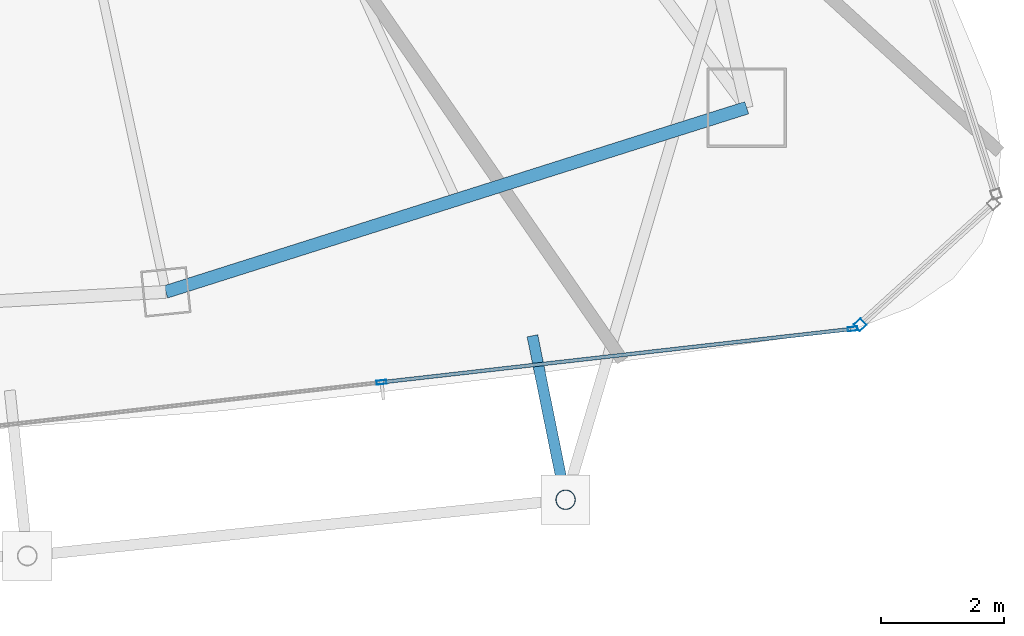
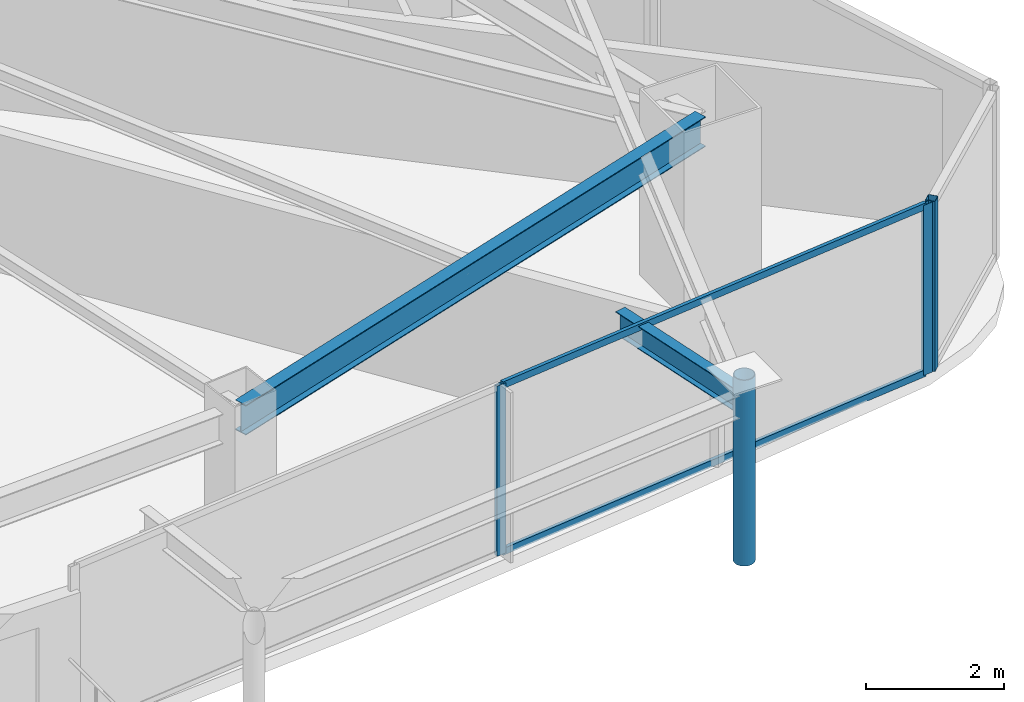
# One storey, part 14 of 30: 6 members, 2 beams, 2 elements without a shape of their own.
"""IFC4 building model written with IfcOpenShell, lengths in metres."""

import ifcopenshell
import ifcopenshell.guid

model = None  # the IFC model being written
_history = None  # IfcOwnerHistory: only IFC2X3 demands one
_inside = {}  # id of a spatial element -> (the spatial element, [elements in it])
_under = {}  # id of a project, library or spatial element -> (it, [spatial elements below it])
_declared = {}  # id of a project -> (the project, [libraries it declares])
_typed = {}  # id of a type object -> (the type object, [elements of that type])
_made_of = {}  # id of a material, layer set ... -> (it, [elements and type objects made of it])


def new_model(schema):
    """Start an empty IFC model of exactly this schema.

    Asked for "IFC4X3", IfcOpenShell would pick the latest addendum, in which some entities
    have other attributes; the version numbers below select the first issue.
    IFC2X3 requires an IfcOwnerHistory on every rooted entity: one is made here for all.
    """
    global model, _history
    if schema == "IFC4X3":
        model = ifcopenshell.file(schema_version=(4, 3, 0, 0))
    else:
        model = ifcopenshell.file(schema=schema)
    _inside.clear()
    _under.clear()
    _declared.clear()
    _typed.clear()
    _made_of.clear()
    _history = None
    if model.schema == "IFC2X3":
        org = make("IfcOrganization", Name="unknown")
        user = make(
            "IfcPersonAndOrganization",
            ThePerson=make("IfcPerson", FamilyName="unknown"),
            TheOrganization=org,
        )
        app = make(
            "IfcApplication",
            ApplicationDeveloper=org,
            Version="unknown",
            ApplicationFullName="unknown",
            ApplicationIdentifier="unknown",
        )
        _history = make(
            "IfcOwnerHistory",
            OwningUser=user,
            OwningApplication=app,
            ChangeAction="ADDED",
            CreationDate=0,
        )
    return model


def make(cls, **values):
    """One entity of the class cls with the attributes given. An attribute that is None is left unset."""
    return model.create_entity(
        cls, **{name: value for name, value in values.items() if value is not None}
    )


def rooted(cls, **values):
    """An entity with a GlobalId (a new one), such as an element, a storey or a relation."""
    return make(cls, GlobalId=ifcopenshell.guid.new(), OwnerHistory=_history, **values)


def si_unit(unit_type, name, prefix=None):
    """IfcSIUnit, for example si_unit("LENGTHUNIT", "METRE", prefix="MILLI")."""
    return make("IfcSIUnit", UnitType=unit_type, Prefix=prefix, Name=name)


def assignment(units):
    """IfcUnitAssignment: the units of a project."""
    return None if units is None else make("IfcUnitAssignment", Units=units)


def point(xyz):
    """IfcCartesianPoint."""
    return None if xyz is None else make("IfcCartesianPoint", Coordinates=xyz)


def direction(xyz):
    """IfcDirection."""
    return None if xyz is None else make("IfcDirection", DirectionRatios=xyz)


def frame(location, z_axis=None, x_axis=None):
    """IfcAxis2Placement3D, a coordinate frame: its origin and axes. An axis left out is left unset."""
    return make(
        "IfcAxis2Placement3D",
        Location=point(location),
        Axis=direction(z_axis),
        RefDirection=direction(x_axis),
    )


def frame_2d(location, x_axis=None):
    """IfcAxis2Placement2D, a coordinate frame in the plane: its origin and x axis."""
    return make(
        "IfcAxis2Placement2D", Location=point(location), RefDirection=direction(x_axis)
    )


def origin():
    """The frame at (0, 0, 0) with its axes left unset."""
    return frame((0.0, 0.0, 0.0))


def origin_2d():
    """The frame at (0, 0) in the plane with its x axis left unset."""
    return frame_2d((0.0, 0.0))


def place(relative_to, where):
    """IfcLocalPlacement: puts the frame where relative to a parent placement (None: the world)."""
    return make(
        "IfcLocalPlacement", PlacementRelTo=relative_to, RelativePlacement=where
    )


def context(
    kind, dimensions, precision=None, world=None, true_north=None, identifier=None
):
    """IfcGeometricRepresentationContext, for example the 3D "Model" context."""
    return make(
        "IfcGeometricRepresentationContext",
        ContextIdentifier=identifier,
        ContextType=kind,
        CoordinateSpaceDimension=dimensions,
        Precision=precision,
        WorldCoordinateSystem=world,
        TrueNorth=true_north,
    )


def subcontext(parent, identifier, kind, view, scale=None):
    """IfcGeometricRepresentationSubContext, for example "Body" below "Model"."""
    return make(
        "IfcGeometricRepresentationSubContext",
        ContextIdentifier=identifier,
        ContextType=kind,
        ParentContext=parent,
        TargetScale=scale,
        TargetView=view,
    )


def project(units=None, contexts=None):
    """IfcProject with its units and contexts."""
    return rooted(
        "IfcProject",
        Name="project",
        RepresentationContexts=contexts,
        UnitsInContext=assignment(units),
    )


def spatial(cls, under=None, at=None, **own):
    """A site, building, storey or space (cls), placed at a placement, below another one or the project."""
    s = rooted(cls, ObjectPlacement=at, **own)
    if under is not None:
        _under.setdefault(under.id(), (under, []))[1].append(s)
    return s


def profile(cls, at=None, kind="AREA", **sizes):
    """A parametric profile (cls). Its sizes go by their IFC names, for example OverallWidth=200.0."""
    return make(cls, ProfileType=kind, Position=at, **sizes)


def hollow_rectangle(**sizes):
    """IfcRectangleHollowProfileDef."""
    return profile("IfcRectangleHollowProfileDef", **sizes)


def hollow_circle(**sizes):
    """IfcCircleHollowProfileDef."""
    return profile("IfcCircleHollowProfileDef", **sizes)


def i_section(**sizes):
    """IfcIShapeProfileDef."""
    return profile("IfcIShapeProfileDef", **sizes)


def extrude(swept, where, along, depth):
    """IfcExtrudedAreaSolid: the profile swept, set in the frame where, extruded along a direction by depth."""
    return make(
        "IfcExtrudedAreaSolid",
        SweptArea=swept,
        Position=where,
        ExtrudedDirection=direction(along),
        Depth=depth,
    )


def shape(context_of_items, identifier, shape_type, items):
    """IfcShapeRepresentation: the items that make up one representation, for example the "Body"."""
    return make(
        "IfcShapeRepresentation",
        ContextOfItems=context_of_items,
        RepresentationIdentifier=identifier,
        RepresentationType=shape_type,
        Items=items,
    )


def material(Name=None, Category=None):
    """IfcMaterial."""
    return make("IfcMaterial", Name=Name, Category=Category)


def layer(
    of_material, thickness, ventilated=None, Name=None, Category=None, Priority=None
):
    """IfcMaterialLayer: one layer of a wall or slab, of a material (None: an air gap)."""
    return make(
        "IfcMaterialLayer",
        Material=of_material,
        LayerThickness=thickness,
        IsVentilated=ventilated,
        Name=Name,
        Category=Category,
        Priority=Priority,
    )


def layer_set(layers, Name=None):
    """IfcMaterialLayerSet."""
    return make("IfcMaterialLayerSet", MaterialLayers=layers, LayerSetName=Name)


def material_profile(
    of_material, cross_section, Name=None, Category=None, Priority=None
):
    """IfcMaterialProfile: a cross section and its material."""
    return make(
        "IfcMaterialProfile",
        Name=Name,
        Material=of_material,
        Profile=cross_section,
        Priority=Priority,
        Category=Category,
    )


def profile_set(profiles, Name=None, composite=None):
    """IfcMaterialProfileSet."""
    return make(
        "IfcMaterialProfileSet",
        Name=Name,
        MaterialProfiles=profiles,
        CompositeProfile=composite,
    )


def made_of(thing, what):
    """Note that an element or type object is made of a material, layer set ...; save() writes the relation."""
    if what is not None:
        _made_of.setdefault(what.id(), (what, []))[1].append(thing)
    return thing


def type_object(cls, material=None, **own):
    """A type object (cls), such as IfcWallType, which elements share."""
    return made_of(rooted(cls, **own), material)


def element(
    cls,
    number,
    at=None,
    inside=None,
    cuts=None,
    type_object=None,
    material=None,
    context=None,
    identifier="Body",
    shape_type=None,
    held_by="IfcProductDefinitionShape",
    body=None,
    shapes=None,
    **own,
):
    """One element of the class cls, such as IfcWall. Its Tag is "e" and its number.

    at: its placement. inside: the storey or other place that contains it. cuts: it is an
    opening in that element (IfcRelVoidsElement). A single representation is given by context,
    identifier, shape_type and body (its items); several are given by shapes. held_by: the class
    of the entity that holds the representations. save() writes the other relations.
    """
    e = rooted(cls, Tag="e%d" % number, ObjectPlacement=at, **own)
    if body is not None:
        shapes = [shape(context, identifier, shape_type, body)]
    if shapes is not None:
        e.Representation = make(held_by, Representations=shapes)
    if inside is not None:
        _inside.setdefault(inside.id(), (inside, []))[1].append(e)
    if cuts is not None:
        rooted(
            "IfcRelVoidsElement", RelatingBuildingElement=cuts, RelatedOpeningElement=e
        )
    if type_object is not None:
        _typed.setdefault(type_object.id(), (type_object, []))[1].append(e)
    return made_of(e, material)


def aggregate(whole, parts):
    """IfcRelAggregates: a whole, such as a stair, and the parts it consists of."""
    return rooted("IfcRelAggregates", RelatingObject=whole, RelatedObjects=parts)


def save(model, path):
    """Write the relations noted so far, then the file.

    IfcRelAggregates (storeys below a building ...), IfcRelContainedInSpatialStructure (elements
    in a storey), IfcRelDefinesByType, IfcRelAssociatesMaterial and IfcRelDeclares: one each for
    every whole, place, type object, material and project.
    """
    for whole, parts in _under.values():
        aggregate(whole, parts)
    for where, things in _inside.values():
        rooted(
            "IfcRelContainedInSpatialStructure",
            RelatedElements=things,
            RelatingStructure=where,
        )
    for kind, things in _typed.values():
        rooted("IfcRelDefinesByType", RelatedObjects=things, RelatingType=kind)
    for what, things in _made_of.values():
        rooted("IfcRelAssociatesMaterial", RelatedObjects=things, RelatingMaterial=what)
    for by, libraries in _declared.values():
        rooted("IfcRelDeclares", RelatingContext=by, RelatedDefinitions=libraries)
    model.write(path)


model = new_model("IFC4")

# Units and contexts
model_context = context("Model", 3, precision=1e-05, world=origin(), true_north=direction((0.0, 1.0)))
body_context = subcontext(model_context, "Body", "Model", "MODEL_VIEW")
ifc_project = project(units=[si_unit("LENGTHUNIT", "METRE"), si_unit("AREAUNIT", "SQUARE_METRE"), si_unit("VOLUMEUNIT", "CUBIC_METRE"), si_unit("PLANEANGLEUNIT", "RADIAN"), si_unit("MASSUNIT", "GRAM", prefix="KILO")], contexts=[model_context])

# Site, building, storey
site_placement = place(None, origin())
site = spatial("IfcSite", under=ifc_project, at=site_placement, CompositionType="ELEMENT")
building_placement = place(site_placement, origin())
building = spatial("IfcBuilding", under=site, at=building_placement, Name="Orvanel Arch Residences", CompositionType="ELEMENT")
storey_placement = place(building_placement, frame((0.0, 0.0, 232.699951171875)))
storey = spatial("IfcBuildingStorey", under=building, at=storey_placement, Name="L66", CompositionType="ELEMENT", Elevation=232.699951171875)

# Curtain wall, member
ifc_material_1 = material(Name="Bronze-anodised aluminium AA6063-T6", Category="aluminium")
ifc_layer_1 = layer(ifc_material_1, 0.18994140625)
ifc_layer_set_1 = layer_set([ifc_layer_1], Name="Bronze-anodised aluminium AA6063-T6")
curtain_wall_type_1 = type_object("IfcCurtainWallType", Name="CW5-CRN-SYS", PredefinedType="NOTDEFINED", material=ifc_layer_set_1)
curtain_wall_1_placement = place(storey_placement, origin())
curtain_wall_1 = element("IfcCurtainWall", 1, at=curtain_wall_1_placement, inside=storey, type_object=curtain_wall_type_1, Name="L66 CW5-CRN-SYS Unitised Curtain Wall", PredefinedType="NOTDEFINED")
ifc_material_profile_1 = material_profile(ifc_material_1, hollow_rectangle(XDim=0.14990234375, YDim=0.14990234375, WallThickness=0.0048828125, at=origin_2d()), Name="ALU150x150x5")
ifc_profile_set_1 = profile_set([ifc_material_profile_1], Name="Bronze-anodised aluminium AA6063-T6")
member_type_1 = type_object("IfcMemberType", Name="MUL-150x150", PredefinedType="MULLION", material=ifc_profile_set_1)
member_1_placement = place(storey_placement, frame((53.6474609375, 6.822509765625, 0.0), z_axis=(0.0, 0.0, 1.0), x_axis=(-0.672365707037, 0.740219127016, 0.0)))
member_1 = element("IfcMember", 2, at=member_1_placement, type_object=member_type_1, Name="CW-S5 mullion 1", PredefinedType="MULLION", context=body_context, shape_type="SweptSolid", body=[
    extrude(hollow_rectangle(XDim=0.14990234375, YDim=0.14990234375, WallThickness=0.0048828125, at=origin_2d()), origin(), (0.0, 0.0, 1.0), 3.02001953125),
])
aggregate(curtain_wall_1, [member_1])

# Curtain wall, members
ifc_layer_2 = layer(ifc_material_1, 0.175048828125)
ifc_layer_set_2 = layer_set([ifc_layer_2], Name="Bronze-anodised aluminium AA6063-T6")
curtain_wall_type_2 = type_object("IfcCurtainWallType", Name="CW4-HI-SYS", PredefinedType="NOTDEFINED", material=ifc_layer_set_2)
curtain_wall_2_placement = place(storey_placement, origin())
curtain_wall_2 = element("IfcCurtainWall", 3, at=curtain_wall_2_placement, inside=storey, type_object=curtain_wall_type_2, Name="L66 CW4-HI-SYS Unitised Curtain Wall", PredefinedType="NOTDEFINED")
ifc_material_profile_2 = material_profile(ifc_material_1, hollow_rectangle(XDim=0.06494140625, YDim=0.159912109375, WallThickness=0.00390625, at=origin_2d()), Name="ALU160x65x4")
ifc_profile_set_2 = profile_set([ifc_material_profile_2], Name="Bronze-anodised aluminium AA6063-T6")
member_type_2 = type_object("IfcMemberType", Name="MUL-160x65", PredefinedType="MULLION", material=ifc_profile_set_2)
member_2_placement = place(storey_placement, frame((45.860595703125, 5.885009765625, 0.0), z_axis=(0.0, 0.0, 1.0), x_axis=(-0.112578003012, 0.993642890196, 0.0)))
member_2 = element("IfcMember", 4, at=member_2_placement, type_object=member_type_2, Name="CW-S4 mullion 2", PredefinedType="MULLION", context=body_context, shape_type="SweptSolid", body=[
    extrude(hollow_rectangle(XDim=0.06494140625, YDim=0.159912109375, WallThickness=0.00390625, at=origin_2d()), origin(), (0.0, 0.0, 1.0), 3.02001953125),
])
member_3_placement = place(storey_placement, frame((53.524658203125, 6.75341796875, 0.0), z_axis=(0.0, 0.0, 1.0), x_axis=(-0.112578003012, 0.993642890196, 0.0)))
member_3 = element("IfcMember", 5, at=member_3_placement, type_object=member_type_2, Name="CW-S4 mullion 3", PredefinedType="MULLION", context=body_context, shape_type="SweptSolid", body=[
    extrude(hollow_rectangle(XDim=0.06494140625, YDim=0.159912109375, WallThickness=0.00390625, at=origin_2d()), origin(), (0.0, 0.0, 1.0), 3.02001953125),
])

# Beams
ifc_material_2 = material(Name="Structural steel AS/NZS 3679.1 Grade 300 (300 MPa)", Category="steel")
ifc_material_profile_3 = material_profile(ifc_material_2, i_section(OverallWidth=0.177978515625, OverallDepth=0.406005859375, WebThickness=0.0078125, FlangeThickness=0.0126953125, at=origin_2d()), Name="410UB59.7")
ifc_profile_set_3 = profile_set([ifc_material_profile_3], Name="Structural steel AS/NZS 3679.1 Grade 300 (300 MPa)")
beam_type_1 = type_object("IfcBeamType", Name="OB-410UB-EXT", PredefinedType="SPANDREL", material=ifc_profile_set_3)
beam_1_placement = place(storey_placement, frame((48.31494140625, 6.64111328125, 2.817138671875), z_axis=(0.198462114114, -0.980108559937, 0.0), x_axis=(0.980108559937, 0.198462114114, 0.0)))
element("IfcBeam", 6, at=beam_1_placement, inside=storey, type_object=beam_type_1, Name="L66 Outer Frame Radial Tie Beam 08", PredefinedType="SPANDREL", context=body_context, shape_type="SweptSolid", body=[
    extrude(i_section(OverallWidth=0.177978515625, OverallDepth=0.406005859375, WebThickness=0.0078125, FlangeThickness=0.0126953125, at=origin_2d()), origin(), (0.0, 0.0, 1.0), 2.72119140625),
])
ifc_material_profile_4 = material_profile(ifc_material_2, i_section(OverallWidth=0.208984375, OverallDepth=0.532958984375, WebThickness=0.01025390625, FlangeThickness=0.015625, at=origin_2d()), Name="530UB92.4")
ifc_profile_set_4 = profile_set([ifc_material_profile_4], Name="Structural steel AS/NZS 3679.1 Grade 300 (300 MPa)")
beam_type_2 = type_object("IfcBeamType", Name="SP-530UB", PredefinedType="SPANDREL", material=ifc_profile_set_4)
beam_2_placement = place(storey_placement, frame((42.35107421875, 7.35498046875, 2.7529296875), z_axis=(0.953237386592, 0.302222574941, 0.0), x_axis=(-0.302222574941, 0.953237386592, 0.0)))
element("IfcBeam", 7, at=beam_2_placement, inside=storey, type_object=beam_type_2, Name="L66 Perimeter Spandrel Beam 05", PredefinedType="SPANDREL", context=body_context, shape_type="SweptSolid", body=[
    extrude(i_section(OverallWidth=0.208984375, OverallDepth=0.532958984375, WebThickness=0.01025390625, FlangeThickness=0.015625, at=origin_2d()), origin(), (0.0, 0.0, 1.0), 9.91357421875),
])

# Member
ifc_material_3 = material(Name="Structural steel AS/NZS 1163 C350L0 (Grade 350)", Category="steel")
ifc_material_profile_5 = material_profile(ifc_material_3, hollow_circle(Radius=0.162109375, WallThickness=0.0126953125, at=origin_2d()), Name="CHS324x12.7")
ifc_profile_set_5 = profile_set([ifc_material_profile_5], Name="Structural steel AS/NZS 1163 C350L0 (Grade 350)")
member_type_3 = type_object("IfcMemberType", Name="ST-324CHS-EXT", PredefinedType="STRUT", material=ifc_profile_set_5)
member_4_placement = place(storey_placement, frame((48.85498046875, 3.97412109375, 0.0), z_axis=(0.0, 0.0, 1.0), x_axis=(1.0, 0.0, 0.0)))
element("IfcMember", 8, at=member_4_placement, inside=storey, type_object=member_type_3, Name="L66 Outer Perimeter Frame Post 08", PredefinedType="STRUT", context=body_context, shape_type="SweptSolid", body=[
    extrude(hollow_circle(Radius=0.162109375, WallThickness=0.0126953125, at=origin_2d()), origin(), (0.0, 0.0, 1.0), 3.300048828125),
])

ifc_material_profile_6 = material_profile(ifc_material_1, hollow_rectangle(XDim=0.06005859375, YDim=0.1201171875, WallThickness=0.00341796875, at=origin_2d()), Name="ALU120x60x3.5")
ifc_profile_set_6 = profile_set([ifc_material_profile_6], Name="Bronze-anodised aluminium AA6063-T6")
member_type_4 = type_object("IfcMemberType", Name="TRN-120x60", PredefinedType="USERDEFINED", material=ifc_profile_set_6)
member_5_placement = place(storey_placement, frame((45.892822265625, 5.888671875, 0.030029296875), z_axis=(0.993641990336, 0.112585945127, 0.0), x_axis=(-0.112585945127, 0.993641990336, 0.0)))
member_5 = element("IfcMember", 9, at=member_5_placement, type_object=member_type_4, Name="CW-S4 transom 2.1", ObjectType="TRANSOM", PredefinedType="USERDEFINED", context=body_context, shape_type="SweptSolid", body=[
    extrude(hollow_rectangle(XDim=0.06005859375, YDim=0.1201171875, WallThickness=0.00341796875, at=origin_2d()), origin(), (0.0, 0.0, 1.0), 7.648193359375),
])

member_6_placement = place(storey_placement, frame((45.892822265625, 5.888671875, 2.989990234375), z_axis=(0.993641990336, 0.112585945127, 0.0), x_axis=(-0.112585945127, 0.993641990336, 0.0)))
member_6 = element("IfcMember", 10, at=member_6_placement, type_object=member_type_4, Name="CW-S4 transom 2.2", ObjectType="TRANSOM", PredefinedType="USERDEFINED", context=body_context, shape_type="SweptSolid", body=[
    extrude(hollow_rectangle(XDim=0.06005859375, YDim=0.1201171875, WallThickness=0.00341796875, at=origin_2d()), origin(), (0.0, 0.0, 1.0), 7.648193359375),
])

aggregate(curtain_wall_2, [member_2, member_3, member_5, member_6])

save(model, "model.ifc")
